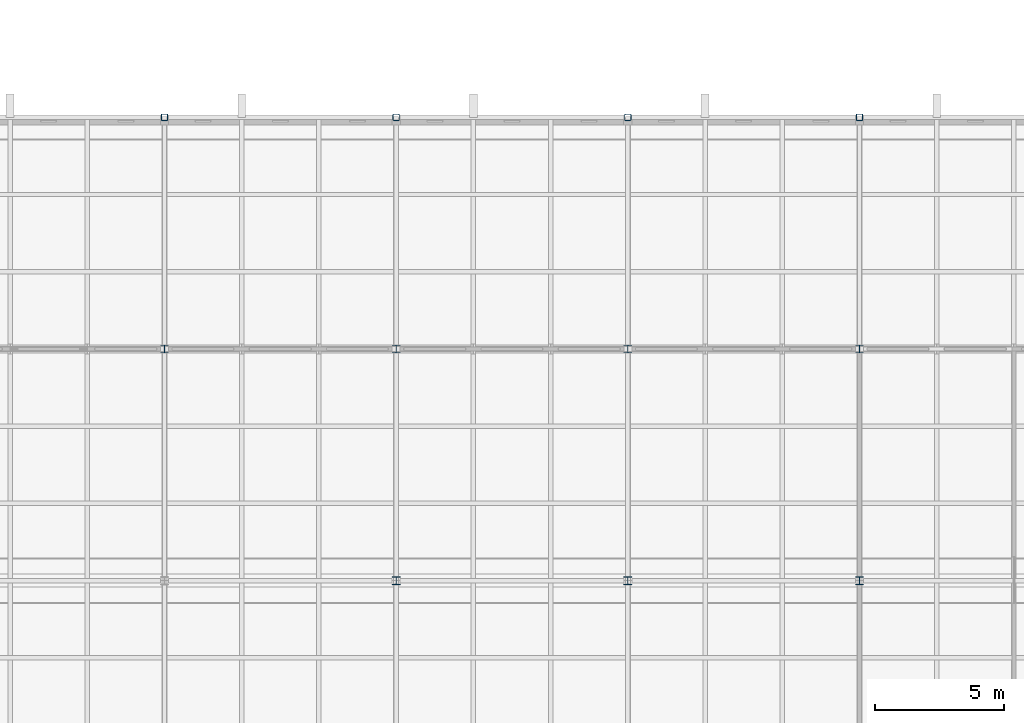
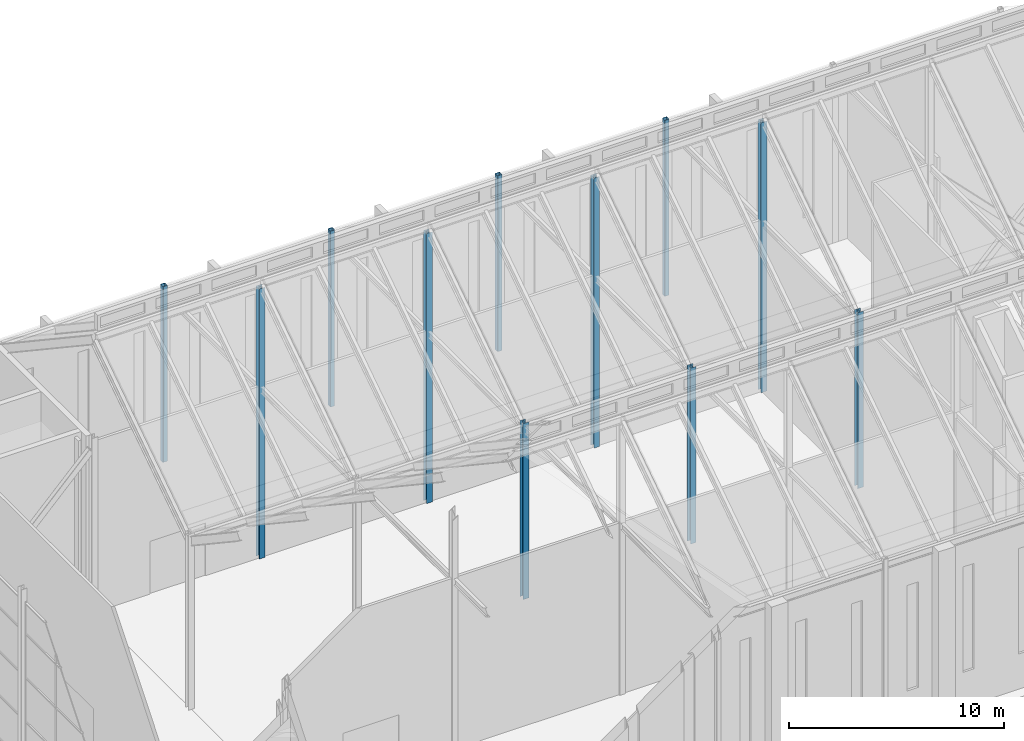
# One storey, part 9 of 111: 11 columns.
"""IFC4 building model written with IfcOpenShell, lengths in metres."""

from ifc_helpers import new_model, si_unit, direction, frame, origin, origin_2d, place, context, subcontext, project, spatial, hollow_rectangle, i_section, extrude, material, material_profile, profile_set, type_object, element, save


model = new_model("IFC4")

# Units and contexts
model_context = context("Model", 3, precision=1e-05, world=origin(), true_north=direction((0.0, 1.0)))
body_context = subcontext(model_context, "Body", "Model", "MODEL_VIEW")
ifc_project = project(units=[si_unit("LENGTHUNIT", "METRE"), si_unit("AREAUNIT", "SQUARE_METRE"), si_unit("VOLUMEUNIT", "CUBIC_METRE"), si_unit("PLANEANGLEUNIT", "RADIAN"), si_unit("MASSUNIT", "GRAM", prefix="KILO")], contexts=[model_context])

# Site, building, storey
site_placement = place(None, origin())
site = spatial("IfcSite", under=ifc_project, at=site_placement, CompositionType="ELEMENT")
building_placement = place(site_placement, origin())
building = spatial("IfcBuilding", under=site, at=building_placement, Name="Shorebreak Coast Museum", CompositionType="ELEMENT")
storey_placement = place(building_placement, frame((0.0, 0.0, 16.0)))
storey = spatial("IfcBuildingStorey", under=building, at=storey_placement, Name="L03", CompositionType="ELEMENT", Elevation=16.0)

# Columns
ifc_material_1 = material(Name="Steel Grade C450L0", Category="steel")
ifc_material_profile_1 = material_profile(ifc_material_1, hollow_rectangle(XDim=0.25, YDim=0.25, WallThickness=0.012451171875, InnerFilletRadius=0.018798828125, OuterFilletRadius=0.03125, at=origin_2d()), Name="250x250x12.5 SHS")
ifc_profile_set_1 = profile_set([ifc_material_profile_1], Name="Steel Grade C450L0")
column_type_1 = type_object("IfcColumnType", Name="Column 250x250x12.5 SHS", PredefinedType="COLUMN", material=ifc_profile_set_1)
for number, where, z_axis, x_axis, name in (
    (1, (126.0, 90.0, 0.0), (0.0, 0.0, 1.0), (1.0, 0.0, 0.0), "Column L03 15L"),
    (2, (135.0, 90.0, 0.0), (0.0, 0.0, 1.0), (1.0, 0.0, 0.0), "Column L03 16L"),
    (3, (144.0, 90.0, 0.0), (0.0, 0.0, 1.0), (1.0, 0.0, 0.0), "Column L03 17L"),
    (4, (153.0, 90.0, 0.0), (0.0, 0.0, 1.0), (1.0, 0.0, 0.0), "Column L03 18L"),
):
    element("IfcColumn", number, at=place(storey_placement, frame(where, z_axis=z_axis, x_axis=x_axis)), inside=storey, type_object=column_type_1, Name=name, PredefinedType="COLUMN", context=body_context, shape_type="SweptSolid", body=[
        extrude(hollow_rectangle(XDim=0.25, YDim=0.25, WallThickness=0.012451171875, InnerFilletRadius=0.018798828125, OuterFilletRadius=0.03125, at=origin_2d()), origin(), (0.0, 0.0, 1.0), 10.0),
    ])
ifc_material_2 = material(Name="Steel Grade 300", Category="steel")
ifc_material_profile_2 = material_profile(ifc_material_2, i_section(OverallWidth=0.304931640625, OverallDepth=0.30810546875, WebThickness=0.010009765625, FlangeThickness=0.015380859375, FilletRadius=0.0166015625, at=origin_2d()), Name="310UC96.8")
ifc_profile_set_2 = profile_set([ifc_material_profile_2], Name="Steel Grade 300")
column_type_2 = type_object("IfcColumnType", Name="Column 310UC96.8", PredefinedType="COLUMN", material=ifc_profile_set_2)
for number, where, z_axis, x_axis, name in (
    (5, (135.0, 72.0, 0.0), (0.0, 0.0, 1.0), (1.0, 0.0, 0.0), "Column L03 16J"),
    (6, (144.0, 72.0, 0.0), (0.0, 0.0, 1.0), (1.0, 0.0, 0.0), "Column L03 17J"),
    (7, (153.0, 72.0, 0.0), (0.0, 0.0, 1.0), (1.0, 0.0, 0.0), "Column L03 18J"),
):
    element("IfcColumn", number, at=place(storey_placement, frame(where, z_axis=z_axis, x_axis=x_axis)), inside=storey, type_object=column_type_2, Name=name, PredefinedType="COLUMN", context=body_context, shape_type="SweptSolid", body=[
        extrude(i_section(OverallWidth=0.304931640625, OverallDepth=0.30810546875, WebThickness=0.010009765625, FlangeThickness=0.015380859375, FilletRadius=0.0166015625, at=origin_2d()), origin(), (0.0, 0.0, 1.0), 10.0),
    ])
for number, where, z_axis, x_axis, name in (
    (8, (126.0, 81.0, 0.0), (0.0, 0.0, 1.0), (1.0, 0.0, 0.0), "Column L03 15K"),
    (9, (135.0, 81.0, 0.0), (0.0, 0.0, 1.0), (1.0, 0.0, 0.0), "Column L03 16K"),
    (10, (144.0, 81.0, 0.0), (0.0, 0.0, 1.0), (1.0, 0.0, 0.0), "Column L03 17K"),
    (11, (153.0, 81.0, 0.0), (0.0, 0.0, 1.0), (1.0, 0.0, 0.0), "Column L03 18K"),
):
    element("IfcColumn", number, at=place(storey_placement, frame(where, z_axis=z_axis, x_axis=x_axis)), inside=storey, type_object=column_type_2, Name=name, PredefinedType="COLUMN", context=body_context, shape_type="SweptSolid", body=[
        extrude(i_section(OverallWidth=0.304931640625, OverallDepth=0.30810546875, WebThickness=0.010009765625, FlangeThickness=0.015380859375, FilletRadius=0.0166015625, at=origin_2d()), origin(), (0.0, 0.0, 1.0), 15.353271484375),
    ])

save(model, "model.ifc")
